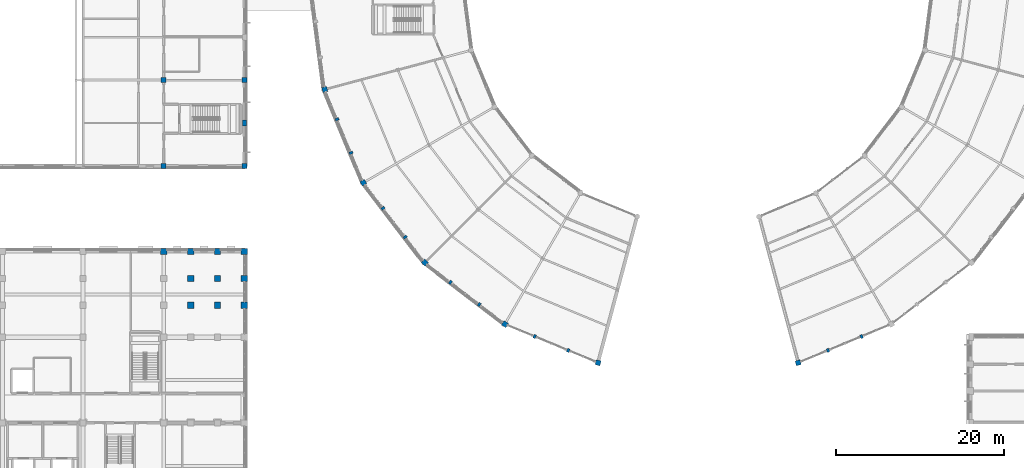
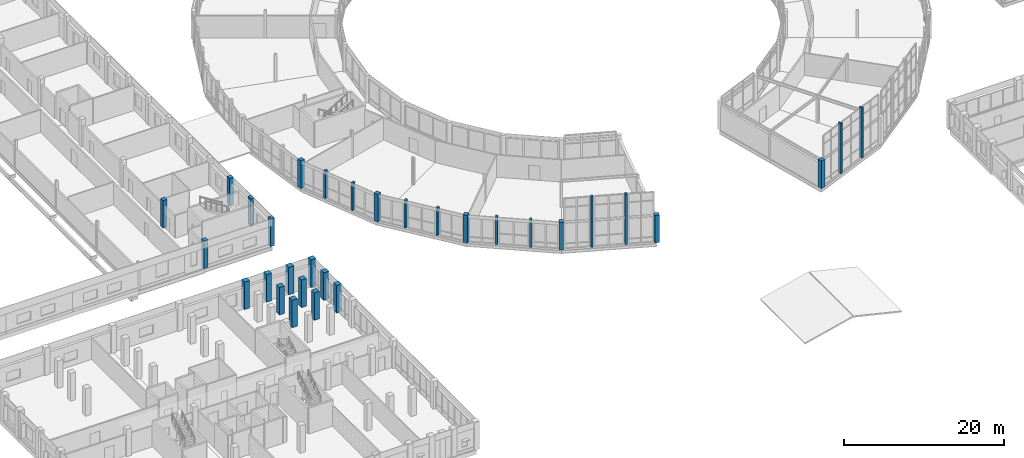
# One storey, part 3 of 170: 31 columns.
"""IFC4 building model written with IfcOpenShell, lengths in metres."""

from ifc_helpers import new_model, si_unit, direction, frame, origin, origin_2d, place, context, subcontext, project, spatial, rectangle, extrude, material, material_profile, profile_set, type_object, element, save


model = new_model("IFC4")

# Units and contexts
model_context = context("Model", 3, precision=1e-05, world=origin(), true_north=direction((0.0, 1.0)))
body_context = subcontext(model_context, "Body", "Model", "MODEL_VIEW")
ifc_project = project(units=[si_unit("LENGTHUNIT", "METRE"), si_unit("AREAUNIT", "SQUARE_METRE"), si_unit("VOLUMEUNIT", "CUBIC_METRE"), si_unit("PLANEANGLEUNIT", "RADIAN"), si_unit("MASSUNIT", "GRAM", prefix="KILO")], contexts=[model_context])

# Site, building, storey
site_placement = place(None, origin())
site = spatial("IfcSite", under=ifc_project, at=site_placement, CompositionType="ELEMENT")
building_placement = place(site_placement, origin())
building = spatial("IfcBuilding", under=site, at=building_placement, Name="Vondelvale Polytechnic", CompositionType="ELEMENT")
storey_placement = place(building_placement, frame((0.0, 0.0, 5.39990234375)))
storey = spatial("IfcBuildingStorey", under=building, at=storey_placement, Name="L01", CompositionType="ELEMENT", Elevation=5.39990234375)

# Columns
ifc_material_1 = material(Name="Glulam GL18 structural Tasmanian oak (fb = 42 MPa)", Category="wood")
ifc_material_profile_1 = material_profile(ifc_material_1, rectangle(XDim=0.300048828125, YDim=0.449951171875, at=origin_2d()), Name="GL-POST-300x450")
ifc_profile_set_1 = profile_set([ifc_material_profile_1], Name="Glulam GL18 structural Tasmanian oak (fb = 42 MPa)")
column_type_1 = type_object("IfcColumnType", Name="COL-GLULAM-300x450", PredefinedType="PILASTER", material=ifc_profile_set_1)
for number, where, z_axis, x_axis, name in (
    (1, (59.037841796875, 56.544189453125, 0.0), (0.0, 0.0, 1.0), (-0.382683432365, 0.923879532511, 0.0), "L01 ring outer glulam timber post C13-P1"),
    (2, (60.6923828125, 52.55029296875, 0.0), (0.0, 0.0, 1.0), (-0.382683432365, 0.923879532511, 0.0), "L01 ring outer glulam timber post C13-P2"),
    (3, (64.502197265625, 45.951416015625, 0.0), (0.0, 0.0, 1.0), (-0.608761429009, 0.793353340291, 0.0), "L01 ring outer glulam timber post C14-P1"),
    (4, (67.1337890625, 42.521728515625, 0.0), (0.0, 0.0, 1.0), (-0.608761429009, 0.793353340291, 0.0), "L01 ring outer glulam timber post C14-P2"),
    (5, (72.521728515625, 37.1337890625, 0.0), (0.0, 0.0, 1.0), (-0.793353340291, 0.608761429009, 0.0), "L01 ring outer glulam timber post C15-P1"),
    (6, (75.951416015625, 34.502197265625, 0.0), (0.0, 0.0, 1.0), (-0.793353340291, 0.608761429009, 0.0), "L01 ring outer glulam timber post C15-P2"),
):
    element("IfcColumn", number, at=place(storey_placement, frame(where, z_axis=z_axis, x_axis=x_axis)), inside=storey, type_object=column_type_1, Name=name, PredefinedType="PILASTER", context=body_context, shape_type="SweptSolid", body=[
        extrude(rectangle(XDim=0.300048828125, YDim=0.449951171875, at=origin_2d()), origin(), (0.0, 0.0, 1.0), 4.2001953125),
    ])
for number, where, z_axis, x_axis, name in (
    (7, (82.55029296875, 30.6923828125, 0.0), (0.0, 0.0, 1.0), (-0.923879532511, 0.382683432365, 0.0), "L01 ring outer glulam timber post C16-P1"),
    (8, (86.544189453125, 29.037841796875, 0.0), (0.0, 0.0, 1.0), (-0.923879532511, 0.382683432365, 0.0), "L01 ring outer glulam timber post C16-P2"),
    (9, (117.455810546875, 29.037841796875, 0.0), (0.0, 0.0, 1.0), (0.923879532511, 0.382683432365, 0.0), "L01 ring outer glulam timber post C19-P1"),
    (10, (121.44970703125, 30.6923828125, 0.0), (0.0, 0.0, 1.0), (0.923879532511, 0.382683432365, 0.0), "L01 ring outer glulam timber post C19-P2"),
):
    element("IfcColumn", number, at=place(storey_placement, frame(where, z_axis=z_axis, x_axis=x_axis)), inside=storey, type_object=column_type_1, Name=name, PredefinedType="PILASTER", context=body_context, shape_type="SweptSolid", body=[
        extrude(rectangle(XDim=0.300048828125, YDim=0.449951171875, at=origin_2d()), origin(), (0.0, 0.0, 1.0), 7.651611328125),
    ])
ifc_material_2 = material(Name="Concrete N50 (f'c = 50 MPa)", Category="concrete")
ifc_material_profile_2 = material_profile(ifc_material_2, rectangle(XDim=0.60009765625, YDim=0.60009765625, at=origin_2d()), Name="RC-COL-600x600")
ifc_profile_set_2 = profile_set([ifc_material_profile_2], Name="Concrete N50 (f'c = 50 MPa)")
column_type_2 = type_object("IfcColumnType", Name="COL-RC600", PredefinedType="COLUMN", material=ifc_profile_set_2)
for number, where, z_axis, x_axis, name in (
    (11, (38.39990234375, 51.0, 0.0), (0.0, 0.0, 1.0), (1.0, 0.0, 0.0), "L01 workshop column (38.4,51.0)"),
    (12, (48.0, 51.0, 0.0), (0.0, 0.0, 1.0), (1.0, 0.0, 0.0), "L01 workshop column (48.0,51.0)"),
    (13, (38.39990234375, 61.199951171875, 0.0), (0.0, 0.0, 1.0), (1.0, 0.0, 0.0), "L01 workshop column (38.4,61.2)"),
    (14, (48.0, 61.199951171875, 0.0), (0.0, 0.0, 1.0), (1.0, 0.0, 0.0), "L01 workshop column (48.0,61.2)"),
    (15, (57.5673828125, 60.09423828125, 0.0), (0.0, 0.0, 1.0), (0.965925826289, 0.258819045103, 0.0), "L01 courtyard ring column S13-RO"),
    (16, (62.162841796875, 49.0, 0.0), (0.0, 0.0, 1.0), (0.866025403784, 0.5, 0.0), "L01 courtyard ring column S14-RO"),
    (17, (69.47314453125, 39.47314453125, 0.0), (0.0, 0.0, 1.0), (0.707106781187, 0.707106781187, 0.0), "L01 courtyard ring column S15-RO"),
    (18, (79.0, 32.162841796875, 0.0), (0.0, 0.0, 1.0), (0.5, 0.866025403784, 0.0), "L01 courtyard ring column S16-RO"),
    (19, (90.09423828125, 27.5673828125, 0.0), (0.0, 0.0, 1.0), (0.258819045103, 0.965925826289, 0.0), "L01 courtyard ring column S17-RO"),
    (20, (113.90576171875, 27.5673828125, 0.0), (0.0, 0.0, 1.0), (-0.258819045103, 0.965925826289, 0.0), "L01 courtyard ring column S19-RO"),
):
    element("IfcColumn", number, at=place(storey_placement, frame(where, z_axis=z_axis, x_axis=x_axis)), inside=storey, type_object=column_type_2, Name=name, PredefinedType="COLUMN", context=body_context, shape_type="SweptSolid", body=[
        extrude(rectangle(XDim=0.60009765625, YDim=0.60009765625, at=origin_2d()), origin(), (0.0, 0.0, 1.0), 4.2001953125),
    ])
ifc_material_profile_3 = material_profile(ifc_material_2, rectangle(XDim=0.75, YDim=0.75, at=origin_2d()), Name="RC-COL-750x750")
ifc_profile_set_3 = profile_set([ifc_material_profile_3], Name="Concrete N50 (f'c = 50 MPa)")
column_type_3 = type_object("IfcColumnType", Name="COL-RC750", PredefinedType="COLUMN", material=ifc_profile_set_3)
for number, where, z_axis, x_axis, name in (
    (21, (38.39990234375, 40.800048828125, 0.0), (0.0, 0.0, 1.0), (1.0, 0.0, 0.0), "L01 corner wing column (38.4,40.8)"),
    (22, (41.60009765625, 34.39990234375, 0.0), (0.0, 0.0, 1.0), (1.0, 0.0, 0.0), "L01 corner wing column (41.6,34.4)"),
    (23, (41.60009765625, 37.60009765625, 0.0), (0.0, 0.0, 1.0), (1.0, 0.0, 0.0), "L01 corner wing column (41.6,37.6)"),
    (24, (41.60009765625, 40.800048828125, 0.0), (0.0, 0.0, 1.0), (1.0, 0.0, 0.0), "L01 corner wing column (41.6,40.8)"),
    (25, (44.800048828125, 34.39990234375, 0.0), (0.0, 0.0, 1.0), (1.0, 0.0, 0.0), "L01 corner wing column (44.8,34.4)"),
    (26, (44.800048828125, 37.60009765625, 0.0), (0.0, 0.0, 1.0), (1.0, 0.0, 0.0), "L01 corner wing column (44.8,37.6)"),
    (27, (44.800048828125, 40.800048828125, 0.0), (0.0, 0.0, 1.0), (1.0, 0.0, 0.0), "L01 corner wing column (44.8,40.8)"),
    (28, (48.0, 34.39990234375, 0.0), (0.0, 0.0, 1.0), (1.0, 0.0, 0.0), "L01 corner wing column (48.0,34.4)"),
    (29, (48.0, 37.60009765625, 0.0), (0.0, 0.0, 1.0), (1.0, 0.0, 0.0), "L01 corner wing column (48.0,37.6)"),
    (30, (48.0, 40.800048828125, 0.0), (0.0, 0.0, 1.0), (1.0, 0.0, 0.0), "L01 corner wing column (48.0,40.8)"),
):
    element("IfcColumn", number, at=place(storey_placement, frame(where, z_axis=z_axis, x_axis=x_axis)), inside=storey, type_object=column_type_3, Name=name, PredefinedType="COLUMN", context=body_context, shape_type="SweptSolid", body=[
        extrude(rectangle(XDim=0.75, YDim=0.75, at=origin_2d()), origin(), (0.0, 0.0, 1.0), 4.2001953125),
    ])
ifc_material_profile_4 = material_profile(ifc_material_2, rectangle(XDim=0.449951171875, YDim=0.699951171875, at=origin_2d()), Name="RC-PIL-700x450")
ifc_profile_set_4 = profile_set([ifc_material_profile_4], Name="Concrete N50 (f'c = 50 MPa)")
column_type_4 = type_object("IfcColumnType", Name="PIL-RC700x450", PredefinedType="PILASTER", material=ifc_profile_set_4)
column_placement = place(storey_placement, frame((48.0, 56.10009765625, 0.0), z_axis=(0.0, 0.0, 1.0), x_axis=(1.0, 0.0, 0.0)))
element("IfcColumn", 31, at=column_placement, inside=storey, type_object=column_type_4, Name="L01 East workshop brick pilaster 1", PredefinedType="PILASTER", context=body_context, shape_type="SweptSolid", body=[
    extrude(rectangle(XDim=0.449951171875, YDim=0.699951171875, at=origin_2d()), origin(), (0.0, 0.0, 1.0), 4.2001953125),
])

save(model, "model.ifc")
